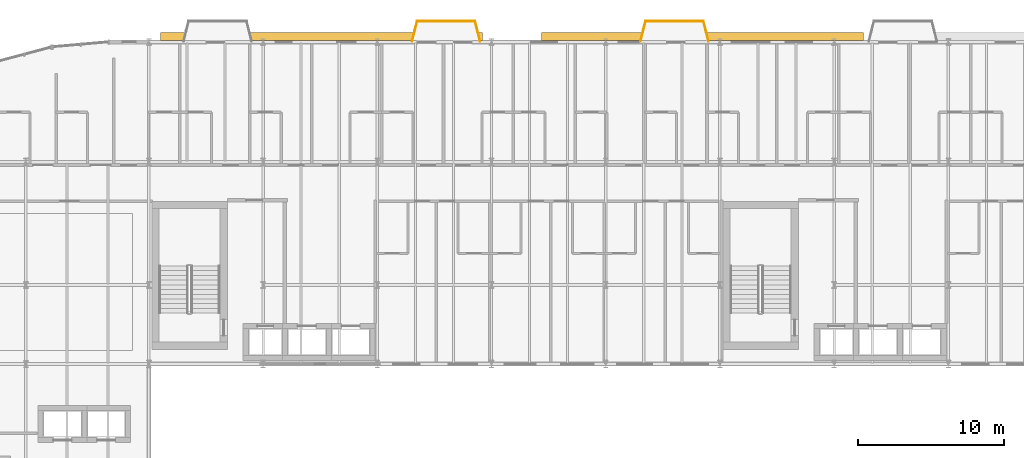
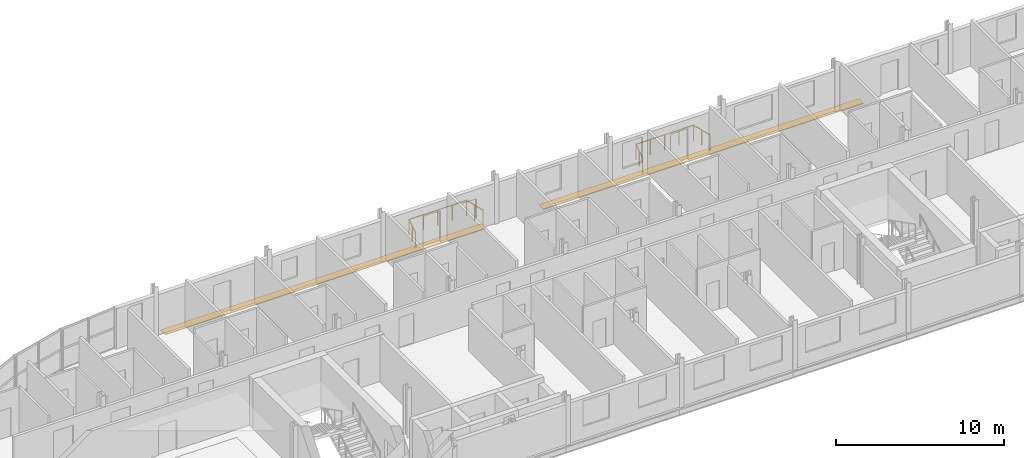
# One storey, part 28 of 30: 6 railings, 2 shading devices.
"""IFC4 building model written with IfcOpenShell, lengths in metres."""

import ifcopenshell
import ifcopenshell.guid

model = None  # the IFC model being written
_history = None  # IfcOwnerHistory: only IFC2X3 demands one
_inside = {}  # id of a spatial element -> (the spatial element, [elements in it])
_under = {}  # id of a project, library or spatial element -> (it, [spatial elements below it])
_declared = {}  # id of a project -> (the project, [libraries it declares])
_typed = {}  # id of a type object -> (the type object, [elements of that type])
_made_of = {}  # id of a material, layer set ... -> (it, [elements and type objects made of it])


def new_model(schema):
    """Start an empty IFC model of exactly this schema.

    Asked for "IFC4X3", IfcOpenShell would pick the latest addendum, in which some entities
    have other attributes; the version numbers below select the first issue.
    IFC2X3 requires an IfcOwnerHistory on every rooted entity: one is made here for all.
    """
    global model, _history
    if schema == "IFC4X3":
        model = ifcopenshell.file(schema_version=(4, 3, 0, 0))
    else:
        model = ifcopenshell.file(schema=schema)
    _inside.clear()
    _under.clear()
    _declared.clear()
    _typed.clear()
    _made_of.clear()
    _history = None
    if model.schema == "IFC2X3":
        org = make("IfcOrganization", Name="unknown")
        user = make(
            "IfcPersonAndOrganization",
            ThePerson=make("IfcPerson", FamilyName="unknown"),
            TheOrganization=org,
        )
        app = make(
            "IfcApplication",
            ApplicationDeveloper=org,
            Version="unknown",
            ApplicationFullName="unknown",
            ApplicationIdentifier="unknown",
        )
        _history = make(
            "IfcOwnerHistory",
            OwningUser=user,
            OwningApplication=app,
            ChangeAction="ADDED",
            CreationDate=0,
        )
    return model


def make(cls, **values):
    """One entity of the class cls with the attributes given. An attribute that is None is left unset."""
    return model.create_entity(
        cls, **{name: value for name, value in values.items() if value is not None}
    )


def rooted(cls, **values):
    """An entity with a GlobalId (a new one), such as an element, a storey or a relation."""
    return make(cls, GlobalId=ifcopenshell.guid.new(), OwnerHistory=_history, **values)


def si_unit(unit_type, name, prefix=None):
    """IfcSIUnit, for example si_unit("LENGTHUNIT", "METRE", prefix="MILLI")."""
    return make("IfcSIUnit", UnitType=unit_type, Prefix=prefix, Name=name)


def assignment(units):
    """IfcUnitAssignment: the units of a project."""
    return None if units is None else make("IfcUnitAssignment", Units=units)


def point(xyz):
    """IfcCartesianPoint."""
    return None if xyz is None else make("IfcCartesianPoint", Coordinates=xyz)


def direction(xyz):
    """IfcDirection."""
    return None if xyz is None else make("IfcDirection", DirectionRatios=xyz)


def frame(location, z_axis=None, x_axis=None):
    """IfcAxis2Placement3D, a coordinate frame: its origin and axes. An axis left out is left unset."""
    return make(
        "IfcAxis2Placement3D",
        Location=point(location),
        Axis=direction(z_axis),
        RefDirection=direction(x_axis),
    )


def frame_2d(location, x_axis=None):
    """IfcAxis2Placement2D, a coordinate frame in the plane: its origin and x axis."""
    return make(
        "IfcAxis2Placement2D", Location=point(location), RefDirection=direction(x_axis)
    )


def origin():
    """The frame at (0, 0, 0) with its axes left unset."""
    return frame((0.0, 0.0, 0.0))


def origin_2d():
    """The frame at (0, 0) in the plane with its x axis left unset."""
    return frame_2d((0.0, 0.0))


def place(relative_to, where):
    """IfcLocalPlacement: puts the frame where relative to a parent placement (None: the world)."""
    return make(
        "IfcLocalPlacement", PlacementRelTo=relative_to, RelativePlacement=where
    )


def context(
    kind, dimensions, precision=None, world=None, true_north=None, identifier=None
):
    """IfcGeometricRepresentationContext, for example the 3D "Model" context."""
    return make(
        "IfcGeometricRepresentationContext",
        ContextIdentifier=identifier,
        ContextType=kind,
        CoordinateSpaceDimension=dimensions,
        Precision=precision,
        WorldCoordinateSystem=world,
        TrueNorth=true_north,
    )


def subcontext(parent, identifier, kind, view, scale=None):
    """IfcGeometricRepresentationSubContext, for example "Body" below "Model"."""
    return make(
        "IfcGeometricRepresentationSubContext",
        ContextIdentifier=identifier,
        ContextType=kind,
        ParentContext=parent,
        TargetScale=scale,
        TargetView=view,
    )


def project(units=None, contexts=None):
    """IfcProject with its units and contexts."""
    return rooted(
        "IfcProject",
        Name="project",
        RepresentationContexts=contexts,
        UnitsInContext=assignment(units),
    )


def spatial(cls, under=None, at=None, **own):
    """A site, building, storey or space (cls), placed at a placement, below another one or the project."""
    s = rooted(cls, ObjectPlacement=at, **own)
    if under is not None:
        _under.setdefault(under.id(), (under, []))[1].append(s)
    return s


def profile(cls, at=None, kind="AREA", **sizes):
    """A parametric profile (cls). Its sizes go by their IFC names, for example OverallWidth=200.0."""
    return make(cls, ProfileType=kind, Position=at, **sizes)


def rectangle(**sizes):
    """IfcRectangleProfileDef."""
    return profile("IfcRectangleProfileDef", **sizes)


def circle(**sizes):
    """IfcCircleProfileDef."""
    return profile("IfcCircleProfileDef", **sizes)


def extrude(swept, where, along, depth):
    """IfcExtrudedAreaSolid: the profile swept, set in the frame where, extruded along a direction by depth."""
    return make(
        "IfcExtrudedAreaSolid",
        SweptArea=swept,
        Position=where,
        ExtrudedDirection=direction(along),
        Depth=depth,
    )


def shape(context_of_items, identifier, shape_type, items):
    """IfcShapeRepresentation: the items that make up one representation, for example the "Body"."""
    return make(
        "IfcShapeRepresentation",
        ContextOfItems=context_of_items,
        RepresentationIdentifier=identifier,
        RepresentationType=shape_type,
        Items=items,
    )


def material(Name=None, Category=None):
    """IfcMaterial."""
    return make("IfcMaterial", Name=Name, Category=Category)


def layer(
    of_material, thickness, ventilated=None, Name=None, Category=None, Priority=None
):
    """IfcMaterialLayer: one layer of a wall or slab, of a material (None: an air gap)."""
    return make(
        "IfcMaterialLayer",
        Material=of_material,
        LayerThickness=thickness,
        IsVentilated=ventilated,
        Name=Name,
        Category=Category,
        Priority=Priority,
    )


def layer_set(layers, Name=None):
    """IfcMaterialLayerSet."""
    return make("IfcMaterialLayerSet", MaterialLayers=layers, LayerSetName=Name)


def made_of(thing, what):
    """Note that an element or type object is made of a material, layer set ...; save() writes the relation."""
    if what is not None:
        _made_of.setdefault(what.id(), (what, []))[1].append(thing)
    return thing


def type_object(cls, material=None, **own):
    """A type object (cls), such as IfcWallType, which elements share."""
    return made_of(rooted(cls, **own), material)


def element(
    cls,
    number,
    at=None,
    inside=None,
    cuts=None,
    type_object=None,
    material=None,
    context=None,
    identifier="Body",
    shape_type=None,
    held_by="IfcProductDefinitionShape",
    body=None,
    shapes=None,
    **own,
):
    """One element of the class cls, such as IfcWall. Its Tag is "e" and its number.

    at: its placement. inside: the storey or other place that contains it. cuts: it is an
    opening in that element (IfcRelVoidsElement). A single representation is given by context,
    identifier, shape_type and body (its items); several are given by shapes. held_by: the class
    of the entity that holds the representations. save() writes the other relations.
    """
    e = rooted(cls, Tag="e%d" % number, ObjectPlacement=at, **own)
    if body is not None:
        shapes = [shape(context, identifier, shape_type, body)]
    if shapes is not None:
        e.Representation = make(held_by, Representations=shapes)
    if inside is not None:
        _inside.setdefault(inside.id(), (inside, []))[1].append(e)
    if cuts is not None:
        rooted(
            "IfcRelVoidsElement", RelatingBuildingElement=cuts, RelatedOpeningElement=e
        )
    if type_object is not None:
        _typed.setdefault(type_object.id(), (type_object, []))[1].append(e)
    return made_of(e, material)


def aggregate(whole, parts):
    """IfcRelAggregates: a whole, such as a stair, and the parts it consists of."""
    return rooted("IfcRelAggregates", RelatingObject=whole, RelatedObjects=parts)


def save(model, path):
    """Write the relations noted so far, then the file.

    IfcRelAggregates (storeys below a building ...), IfcRelContainedInSpatialStructure (elements
    in a storey), IfcRelDefinesByType, IfcRelAssociatesMaterial and IfcRelDeclares: one each for
    every whole, place, type object, material and project.
    """
    for whole, parts in _under.values():
        aggregate(whole, parts)
    for where, things in _inside.values():
        rooted(
            "IfcRelContainedInSpatialStructure",
            RelatedElements=things,
            RelatingStructure=where,
        )
    for kind, things in _typed.values():
        rooted("IfcRelDefinesByType", RelatedObjects=things, RelatingType=kind)
    for what, things in _made_of.values():
        rooted("IfcRelAssociatesMaterial", RelatedObjects=things, RelatingMaterial=what)
    for by, libraries in _declared.values():
        rooted("IfcRelDeclares", RelatingContext=by, RelatedDefinitions=libraries)
    model.write(path)


model = new_model("IFC4")

# Units and contexts
model_context = context("Model", 3, precision=1e-05, world=origin(), true_north=direction((0.0, 1.0)))
body_context = subcontext(model_context, "Body", "Model", "MODEL_VIEW")
ifc_project = project(units=[si_unit("LENGTHUNIT", "METRE"), si_unit("AREAUNIT", "SQUARE_METRE"), si_unit("VOLUMEUNIT", "CUBIC_METRE"), si_unit("PLANEANGLEUNIT", "RADIAN"), si_unit("MASSUNIT", "GRAM", prefix="KILO")], contexts=[model_context])

# Site, building, storey
site_placement = place(None, origin())
site = spatial("IfcSite", under=ifc_project, at=site_placement, CompositionType="ELEMENT")
building_placement = place(site_placement, origin())
building = spatial("IfcBuilding", under=site, at=building_placement, Name="Sefraquen Railside Congress Hotel", CompositionType="ELEMENT")
storey_placement = place(building_placement, frame((0.0, 0.0, 35.39990234375)))
storey = spatial("IfcBuildingStorey", under=building, at=storey_placement, Name="L08", CompositionType="ELEMENT", Elevation=35.39990234375)

# Railings
ifc_material_1 = material(Name="Patinated wrought architectural bronze", Category="metal")
railing_type = type_object("IfcRailingType", Name="TRL-BAL-110", PredefinedType="BALUSTRADE", material=ifc_material_1)
railing_1_placement = place(storey_placement, frame((43.179931640625, 118.050048828125, 0.0)))
element("IfcRailing", 1, at=railing_1_placement, inside=storey, type_object=railing_type, Name="Guest balcony Art Nouveau balustrade L08-02", PredefinedType="BALUSTRADE", context=body_context, shape_type="SweptSolid", body=[
    extrude(circle(Radius=0.02392578125, at=origin_2d()), frame((0.0, 0.0, 1.09619140625), z_axis=(0.240948040829, 0.970538016577, 0.0), x_axis=(-0.970538016577, 0.240948040829, 0.0)), (0.0, 0.0, 1.0), 1.411376953125),
    extrude(circle(Radius=0.02099609375, at=origin_2d()), origin(), (0.0, 0.0, 1.0), 1.072021484375),
    extrude(circle(Radius=0.02099609375, at=origin_2d()), frame((0.169921875, 0.68505859375, 0.0)), (0.0, 0.0, 1.0), 1.072021484375),
    extrude(circle(Radius=0.02099609375, at=origin_2d()), frame((0.340087890625, 1.369873046875, 0.0)), (0.0, 0.0, 1.0), 1.072021484375),
])
railing_2_placement = place(storey_placement, frame((43.52001953125, 119.419921875, 0.0)))
element("IfcRailing", 2, at=railing_2_placement, inside=storey, type_object=railing_type, Name="Guest balcony Art Nouveau balustrade L08-02", PredefinedType="BALUSTRADE", context=body_context, shape_type="SweptSolid", body=[
    extrude(circle(Radius=0.02392578125, at=origin_2d()), frame((0.0, 0.0, 1.09619140625), z_axis=(1.0, 0.0, 0.0), x_axis=(0.0, 1.0, 0.0)), (0.0, 0.0, 1.0), 3.9599609375),
    extrude(circle(Radius=0.02099609375, at=origin_2d()), origin(), (0.0, 0.0, 1.0), 1.072021484375),
    extrude(circle(Radius=0.02099609375, at=origin_2d()), frame((0.989990234375, 0.0, 0.0)), (0.0, 0.0, 1.0), 1.072021484375),
    extrude(circle(Radius=0.02099609375, at=origin_2d()), frame((1.97998046875, 0.0, 0.0)), (0.0, 0.0, 1.0), 1.072021484375),
    extrude(circle(Radius=0.02099609375, at=origin_2d()), frame((2.969970703125, 0.0, 0.0)), (0.0, 0.0, 1.0), 1.072021484375),
    extrude(circle(Radius=0.02099609375, at=origin_2d()), frame((3.9599609375, 0.0, 0.0)), (0.0, 0.0, 1.0), 1.072021484375),
])
railing_3_placement = place(storey_placement, frame((47.47998046875, 119.419921875, 0.0)))
element("IfcRailing", 3, at=railing_3_placement, inside=storey, type_object=railing_type, Name="Guest balcony Art Nouveau balustrade L08-02", PredefinedType="BALUSTRADE", context=body_context, shape_type="SweptSolid", body=[
    extrude(circle(Radius=0.02392578125, at=origin_2d()), frame((0.0, 0.0, 1.09619140625), z_axis=(0.240948040829, -0.970538016577, 0.0), x_axis=(0.970538016577, 0.240948040829, 0.0)), (0.0, 0.0, 1.0), 1.411376953125),
    extrude(circle(Radius=0.02099609375, at=origin_2d()), origin(), (0.0, 0.0, 1.0), 1.072021484375),
    extrude(circle(Radius=0.02099609375, at=origin_2d()), frame((0.169921875, -0.68505859375, 0.0)), (0.0, 0.0, 1.0), 1.072021484375),
    extrude(circle(Radius=0.02099609375, at=origin_2d()), frame((0.340087890625, -1.369873046875, 0.0)), (0.0, 0.0, 1.0), 1.072021484375),
])
railing_4_placement = place(storey_placement, frame((58.780029296875, 118.050048828125, 0.0)))
element("IfcRailing", 4, at=railing_4_placement, inside=storey, type_object=railing_type, Name="Guest balcony Art Nouveau balustrade L08-03", PredefinedType="BALUSTRADE", context=body_context, shape_type="SweptSolid", body=[
    extrude(circle(Radius=0.02392578125, at=origin_2d()), frame((0.0, 0.0, 1.09619140625), z_axis=(0.240948040829, 0.970538016577, 0.0), x_axis=(-0.970538016577, 0.240948040829, 0.0)), (0.0, 0.0, 1.0), 1.411376953125),
    extrude(circle(Radius=0.02099609375, at=origin_2d()), origin(), (0.0, 0.0, 1.0), 1.072021484375),
    extrude(circle(Radius=0.02099609375, at=origin_2d()), frame((0.169921875, 0.68505859375, 0.0)), (0.0, 0.0, 1.0), 1.072021484375),
    extrude(circle(Radius=0.02099609375, at=origin_2d()), frame((0.340087890625, 1.369873046875, 0.0)), (0.0, 0.0, 1.0), 1.072021484375),
])
railing_5_placement = place(storey_placement, frame((59.1201171875, 119.419921875, 0.0)))
element("IfcRailing", 5, at=railing_5_placement, inside=storey, type_object=railing_type, Name="Guest balcony Art Nouveau balustrade L08-03", PredefinedType="BALUSTRADE", context=body_context, shape_type="SweptSolid", body=[
    extrude(circle(Radius=0.02392578125, at=origin_2d()), frame((0.0, 0.0, 1.09619140625), z_axis=(1.0, 0.0, 0.0), x_axis=(0.0, 1.0, 0.0)), (0.0, 0.0, 1.0), 3.9599609375),
    extrude(circle(Radius=0.02099609375, at=origin_2d()), origin(), (0.0, 0.0, 1.0), 1.072021484375),
    extrude(circle(Radius=0.02099609375, at=origin_2d()), frame((0.989990234375, 0.0, 0.0)), (0.0, 0.0, 1.0), 1.072021484375),
    extrude(circle(Radius=0.02099609375, at=origin_2d()), frame((1.97998046875, 0.0, 0.0)), (0.0, 0.0, 1.0), 1.072021484375),
    extrude(circle(Radius=0.02099609375, at=origin_2d()), frame((2.969970703125, 0.0, 0.0)), (0.0, 0.0, 1.0), 1.072021484375),
    extrude(circle(Radius=0.02099609375, at=origin_2d()), frame((3.9599609375, 0.0, 0.0)), (0.0, 0.0, 1.0), 1.072021484375),
])
railing_6_placement = place(storey_placement, frame((63.080078125, 119.419921875, 0.0)))
element("IfcRailing", 6, at=railing_6_placement, inside=storey, type_object=railing_type, Name="Guest balcony Art Nouveau balustrade L08-03", PredefinedType="BALUSTRADE", context=body_context, shape_type="SweptSolid", body=[
    extrude(circle(Radius=0.02392578125, at=origin_2d()), frame((0.0, 0.0, 1.09619140625), z_axis=(0.240785102022, -0.970578453627, 0.0), x_axis=(0.970578453627, 0.240785102022, 0.0)), (0.0, 0.0, 1.0), 1.411376953125),
    extrude(circle(Radius=0.02099609375, at=origin_2d()), origin(), (0.0, 0.0, 1.0), 1.072021484375),
    extrude(circle(Radius=0.02099609375, at=origin_2d()), frame((0.169921875, -0.68505859375, 0.0)), (0.0, 0.0, 1.0), 1.072021484375),
    extrude(circle(Radius=0.02099609375, at=origin_2d()), frame((0.33984375, -1.369873046875, 0.0)), (0.0, 0.0, 1.0), 1.072021484375),
])

# Shading devices
ifc_material_2 = material(Name="Patinated architectural bronze", Category="metal")
ifc_layer = layer(ifc_material_2, 0.06005859375)
ifc_layer_set = layer_set([ifc_layer], Name="Patinated architectural bronze")
shading_device_type = type_object("IfcShadingDeviceType", Name="TSH-BS-01", PredefinedType="USERDEFINED", material=ifc_layer_set)
for number, where, z_axis, x_axis, name in (
    (7, (37.0, 118.3798828125, -0.3798828125), (0.0, 0.0, 1.0), (1.0, 0.0, 0.0), "Hotel North Boulevard window sunshade L08-1"),
    (8, (63.0, 118.3798828125, -0.3798828125), (0.0, 0.0, 1.0), (1.0, 0.0, 0.0), "Hotel North Boulevard window sunshade L08-2"),
):
    element("IfcShadingDevice", number, at=place(storey_placement, frame(where, z_axis=z_axis, x_axis=x_axis)), inside=storey, type_object=shading_device_type, Name=name, ObjectType="BRISE SOLEIL", PredefinedType="USERDEFINED", context=body_context, shape_type="SweptSolid", body=[
        extrude(rectangle(XDim=22.0, YDim=0.550048828125, at=origin_2d()), origin(), (0.0, 0.0, 1.0), 0.06005859375),
    ])

save(model, "model.ifc")
